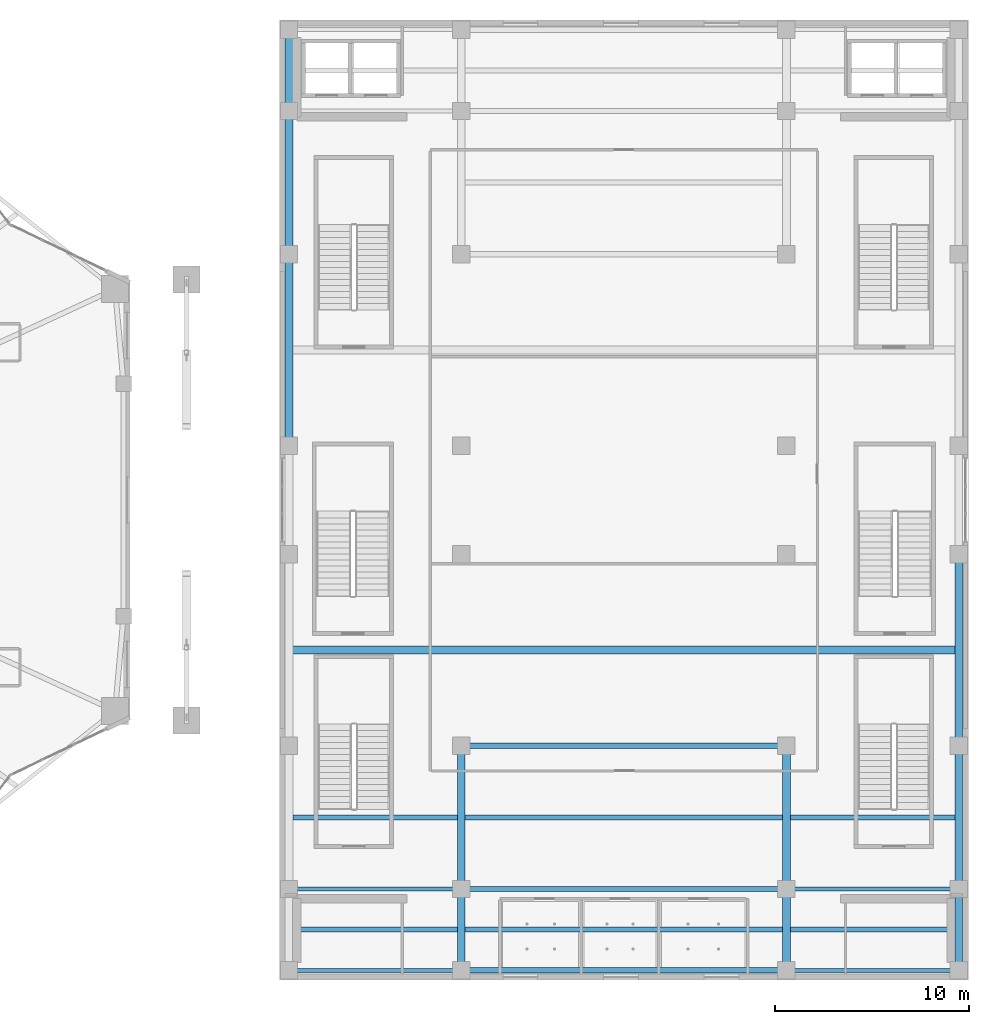
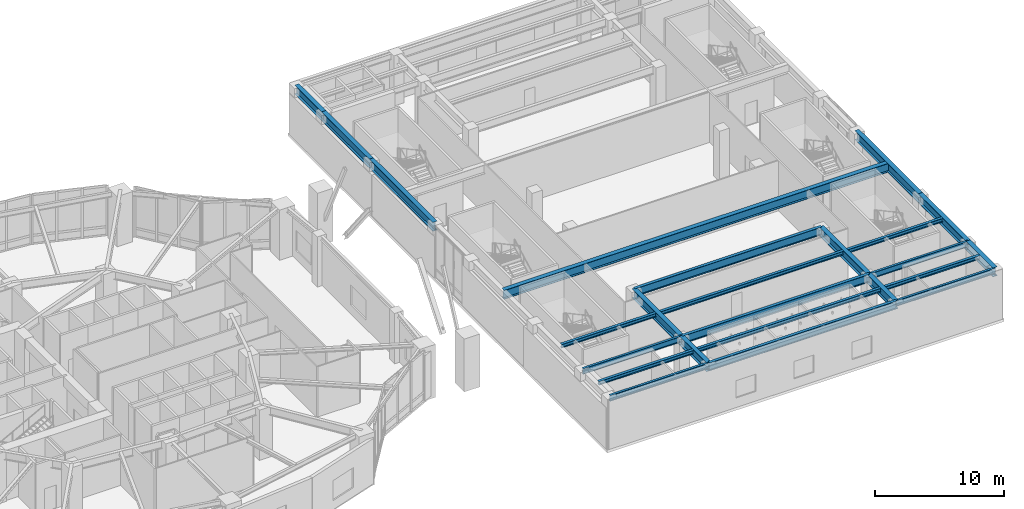
# One storey, part 8 of 24: 24 beams.
"""IFC4 building model written with IfcOpenShell, lengths in metres."""

from ifc_helpers import new_model, si_unit, direction, frame, origin, origin_2d, place, context, subcontext, project, spatial, i_section, extrude, material, material_profile, profile_set, type_object, element, save


model = new_model("IFC4")

# Units and contexts
model_context = context("Model", 3, precision=1e-05, world=origin(), true_north=direction((0.0, 1.0)))
body_context = subcontext(model_context, "Body", "Model", "MODEL_VIEW")
ifc_project = project(units=[si_unit("LENGTHUNIT", "METRE"), si_unit("AREAUNIT", "SQUARE_METRE"), si_unit("VOLUMEUNIT", "CUBIC_METRE"), si_unit("PLANEANGLEUNIT", "RADIAN"), si_unit("MASSUNIT", "GRAM", prefix="KILO")], contexts=[model_context])

# Site, building, storey
site_placement = place(None, origin())
site = spatial("IfcSite", under=ifc_project, at=site_placement, CompositionType="ELEMENT")
building_placement = place(site_placement, origin())
building = spatial("IfcBuilding", under=site, at=building_placement, Name="Kolvaren Gate Tower and Convention Centre", CompositionType="ELEMENT")
storey_placement = place(building_placement, frame((0.0, 0.0, 10.0)))
storey = spatial("IfcBuildingStorey", under=building, at=storey_placement, Name="L02", CompositionType="ELEMENT", Elevation=10.0)

# Beams
ifc_material = material(Name="Structural steel ASTM A992 Grade 345 MPa", Category="steel")
ifc_material_profile_1 = material_profile(ifc_material, i_section(OverallWidth=0.2119140625, OverallDepth=0.5439453125, WebThickness=0.01318359375, FlangeThickness=0.021240234375, at=origin_2d()), Name="W530X123")
ifc_profile_set_1 = profile_set([ifc_material_profile_1], Name="Structural steel ASTM A992 Grade 345 MPa")
beam_type_1 = type_object("IfcBeamType", Name="STR-BM-W530X123", PredefinedType="BEAM", material=ifc_profile_set_1)
for number, where, z_axis, x_axis, name in (
    (1, (62.699951171875, 2.699951171875, 4.488037109375), (1.0, 0.0, 0.0), (0.0, 1.0, 0.0), "Convention L02 Transverse Girder CTG-11"),
    (2, (88.39990234375, 2.699951171875, 4.488037109375), (1.0, 0.0, 0.0), (0.0, 1.0, 0.0), "Convention L02 Transverse Girder CTG-31"),
    (3, (62.699951171875, 6.89990234375, 4.488037109375), (1.0, 0.0, 0.0), (0.0, 1.0, 0.0), "Convention L02 Transverse Girder CTG-12"),
    (4, (88.39990234375, 6.89990234375, 4.488037109375), (1.0, 0.0, 0.0), (0.0, 1.0, 0.0), "Convention L02 Transverse Girder CTG-32"),
):
    element("IfcBeam", number, at=place(storey_placement, frame(where, z_axis=z_axis, x_axis=x_axis)), inside=storey, type_object=beam_type_1, Name=name, PredefinedType="BEAM", context=body_context, shape_type="SweptSolid", body=[
        extrude(i_section(OverallWidth=0.2119140625, OverallDepth=0.5439453125, WebThickness=0.01318359375, FlangeThickness=0.021240234375, at=origin_2d()), origin(), (0.0, 0.0, 1.0), 8.900146484375),
    ])
ifc_material_profile_2 = material_profile(ifc_material, i_section(OverallWidth=0.26806640625, OverallDepth=0.758056640625, WebThickness=0.016357421875, FlangeThickness=0.025390625, at=origin_2d()), Name="W760X220")
ifc_profile_set_2 = profile_set([ifc_material_profile_2], Name="Structural steel ASTM A992 Grade 345 MPa")
beam_type_2 = type_object("IfcBeamType", Name="STR-BM-W760X220", PredefinedType="BEAM", material=ifc_profile_set_2)
for number, where, z_axis, x_axis, name in (
    (5, (71.60009765625, 2.699951171875, 4.381103515625), (1.0, 0.0, 0.0), (0.0, 1.0, 0.0), "Convention L02 Transverse Girder CTG-21"),
    (6, (71.60009765625, 6.89990234375, 4.381103515625), (1.0, 0.0, 0.0), (0.0, 1.0, 0.0), "Convention L02 Transverse Girder CTG-22"),
    (7, (71.60009765625, 14.300048828125, 4.381103515625), (1.0, 0.0, 0.0), (0.0, 1.0, 0.0), "Convention L02 Transverse Girder CTG-23"),
):
    element("IfcBeam", number, at=place(storey_placement, frame(where, z_axis=z_axis, x_axis=x_axis)), inside=storey, type_object=beam_type_2, Name=name, PredefinedType="BEAM", context=body_context, shape_type="SweptSolid", body=[
        extrude(i_section(OverallWidth=0.26806640625, OverallDepth=0.758056640625, WebThickness=0.016357421875, FlangeThickness=0.025390625, at=origin_2d()), origin(), (0.0, 0.0, 1.0), 16.7998046875),
    ])
ifc_material_profile_3 = material_profile(ifc_material, i_section(OverallWidth=0.39990234375, OverallDepth=0.85498046875, WebThickness=0.018310546875, FlangeThickness=0.029296875, at=origin_2d()), Name="W840X299")
ifc_profile_set_3 = profile_set([ifc_material_profile_3], Name="Structural steel ASTM A992 Grade 345 MPa")
beam_type_3 = type_object("IfcBeamType", Name="STR-BM-W840X299", PredefinedType="BEAM", material=ifc_profile_set_3)
beam_1_placement = place(storey_placement, frame((62.699951171875, 29.800048828125, 4.33251953125), z_axis=(0.0, 1.0, 0.0), x_axis=(-1.0, 0.0, 0.0)))
element("IfcBeam", 8, at=beam_1_placement, inside=storey, type_object=beam_type_3, Name="Convention L02 Longitudinal Girder CG-15", PredefinedType="BEAM", context=body_context, shape_type="SweptSolid", body=[
    extrude(i_section(OverallWidth=0.39990234375, OverallDepth=0.85498046875, WebThickness=0.018310546875, FlangeThickness=0.029296875, at=origin_2d()), origin(), (0.0, 0.0, 1.0), 9.89990234375),
])
beam_2_placement = place(storey_placement, frame((62.699951171875, 39.699951171875, 4.33251953125), z_axis=(0.0, 1.0, 0.0), x_axis=(-1.0, 0.0, 0.0)))
element("IfcBeam", 9, at=beam_2_placement, inside=storey, type_object=beam_type_3, Name="Convention L02 Longitudinal Girder CG-16", PredefinedType="BEAM", context=body_context, shape_type="SweptSolid", body=[
    extrude(i_section(OverallWidth=0.39990234375, OverallDepth=0.85498046875, WebThickness=0.018310546875, FlangeThickness=0.029296875, at=origin_2d()), origin(), (0.0, 0.0, 1.0), 7.400146484375),
])
for number, where, z_axis, x_axis, name in (
    (10, (62.699951171875, 47.10009765625, 4.33251953125), (0.0, 1.0, 0.0), (-1.0, 0.0, 0.0), "Convention L02 Longitudinal Girder CG-17"),
    (11, (71.60009765625, 2.699951171875, 4.33251953125), (0.0, 1.0, 0.0), (-1.0, 0.0, 0.0), "Convention L02 Longitudinal Girder CG-21"),
):
    element("IfcBeam", number, at=place(storey_placement, frame(where, z_axis=z_axis, x_axis=x_axis)), inside=storey, type_object=beam_type_3, Name=name, PredefinedType="BEAM", context=body_context, shape_type="SweptSolid", body=[
        extrude(i_section(OverallWidth=0.39990234375, OverallDepth=0.85498046875, WebThickness=0.018310546875, FlangeThickness=0.029296875, at=origin_2d()), origin(), (0.0, 0.0, 1.0), 4.199951171875),
    ])
beam_3_placement = place(storey_placement, frame((71.60009765625, 6.89990234375, 4.33251953125), z_axis=(0.0, 1.0, 0.0), x_axis=(-1.0, 0.0, 0.0)))
element("IfcBeam", 12, at=beam_3_placement, inside=storey, type_object=beam_type_3, Name="Convention L02 Longitudinal Girder CG-22", PredefinedType="BEAM", context=body_context, shape_type="SweptSolid", body=[
    extrude(i_section(OverallWidth=0.39990234375, OverallDepth=0.85498046875, WebThickness=0.018310546875, FlangeThickness=0.029296875, at=origin_2d()), origin(), (0.0, 0.0, 1.0), 7.400146484375),
])
beam_4_placement = place(storey_placement, frame((88.39990234375, 2.699951171875, 4.33251953125), z_axis=(0.0, 1.0, 0.0), x_axis=(-1.0, 0.0, 0.0)))
element("IfcBeam", 13, at=beam_4_placement, inside=storey, type_object=beam_type_3, Name="Convention L02 Longitudinal Girder CG-31", PredefinedType="BEAM", context=body_context, shape_type="SweptSolid", body=[
    extrude(i_section(OverallWidth=0.39990234375, OverallDepth=0.85498046875, WebThickness=0.018310546875, FlangeThickness=0.029296875, at=origin_2d()), origin(), (0.0, 0.0, 1.0), 4.199951171875),
])
beam_5_placement = place(storey_placement, frame((88.39990234375, 6.89990234375, 4.33251953125), z_axis=(0.0, 1.0, 0.0), x_axis=(-1.0, 0.0, 0.0)))
element("IfcBeam", 14, at=beam_5_placement, inside=storey, type_object=beam_type_3, Name="Convention L02 Longitudinal Girder CG-32", PredefinedType="BEAM", context=body_context, shape_type="SweptSolid", body=[
    extrude(i_section(OverallWidth=0.39990234375, OverallDepth=0.85498046875, WebThickness=0.018310546875, FlangeThickness=0.029296875, at=origin_2d()), origin(), (0.0, 0.0, 1.0), 7.400146484375),
])
beam_6_placement = place(storey_placement, frame((97.300048828125, 2.699951171875, 4.33251953125), z_axis=(0.0, 1.0, 0.0), x_axis=(-1.0, 0.0, 0.0)))
element("IfcBeam", 15, at=beam_6_placement, inside=storey, type_object=beam_type_3, Name="Convention L02 Longitudinal Girder CG-41", PredefinedType="BEAM", context=body_context, shape_type="SweptSolid", body=[
    extrude(i_section(OverallWidth=0.39990234375, OverallDepth=0.85498046875, WebThickness=0.018310546875, FlangeThickness=0.029296875, at=origin_2d()), origin(), (0.0, 0.0, 1.0), 4.199951171875),
])
beam_7_placement = place(storey_placement, frame((97.300048828125, 6.89990234375, 4.33251953125), z_axis=(0.0, 1.0, 0.0), x_axis=(-1.0, 0.0, 0.0)))
element("IfcBeam", 16, at=beam_7_placement, inside=storey, type_object=beam_type_3, Name="Convention L02 Longitudinal Girder CG-42", PredefinedType="BEAM", context=body_context, shape_type="SweptSolid", body=[
    extrude(i_section(OverallWidth=0.39990234375, OverallDepth=0.85498046875, WebThickness=0.018310546875, FlangeThickness=0.029296875, at=origin_2d()), origin(), (0.0, 0.0, 1.0), 7.400146484375),
])
beam_8_placement = place(storey_placement, frame((97.300048828125, 14.300048828125, 4.33251953125), z_axis=(0.0, 1.0, 0.0), x_axis=(-1.0, 0.0, 0.0)))
element("IfcBeam", 17, at=beam_8_placement, inside=storey, type_object=beam_type_3, Name="Convention L02 Longitudinal Girder CG-43", PredefinedType="BEAM", context=body_context, shape_type="SweptSolid", body=[
    extrude(i_section(OverallWidth=0.39990234375, OverallDepth=0.85498046875, WebThickness=0.018310546875, FlangeThickness=0.029296875, at=origin_2d()), origin(), (0.0, 0.0, 1.0), 9.89990234375),
])
beam_9_placement = place(storey_placement, frame((62.699951171875, 19.25, 4.33251953125), z_axis=(1.0, 0.0, 0.0), x_axis=(0.0, 1.0, 0.0)))
element("IfcBeam", 18, at=beam_9_placement, inside=storey, type_object=beam_type_3, Name="Convention L02 Clear-Span Secondary Girder CSG-3", PredefinedType="BEAM", context=body_context, shape_type="SweptSolid", body=[
    extrude(i_section(OverallWidth=0.39990234375, OverallDepth=0.85498046875, WebThickness=0.018310546875, FlangeThickness=0.029296875, at=origin_2d()), origin(), (0.0, 0.0, 1.0), 34.60009765625),
])
ifc_material_profile_4 = material_profile(ifc_material, i_section(OverallWidth=0.2548828125, OverallDepth=0.35693359375, WebThickness=0.010498046875, FlangeThickness=0.018310546875, at=origin_2d()), Name="W360X101")
ifc_profile_set_4 = profile_set([ifc_material_profile_4], Name="Structural steel ASTM A992 Grade 345 MPa")
beam_type_4 = type_object("IfcBeamType", Name="STR-JS-W360X101", PredefinedType="JOIST", material=ifc_profile_set_4)
beam_10_placement = place(storey_placement, frame((62.89990234375, 4.800048828125, 4.58154296875), z_axis=(1.0, 0.0, 0.0), x_axis=(0.0, 1.0, 0.0)))
element("IfcBeam", 19, at=beam_10_placement, inside=storey, type_object=beam_type_4, Name="Convention L02 Composite Floor Joist CJ-11", PredefinedType="JOIST", context=body_context, shape_type="SweptSolid", body=[
    extrude(i_section(OverallWidth=0.2548828125, OverallDepth=0.35693359375, WebThickness=0.010498046875, FlangeThickness=0.018310546875, at=origin_2d()), origin(), (0.0, 0.0, 1.0), 8.5),
])
beam_11_placement = place(storey_placement, frame((71.800048828125, 4.800048828125, 4.58154296875), z_axis=(1.0, 0.0, 0.0), x_axis=(0.0, 1.0, 0.0)))
element("IfcBeam", 20, at=beam_11_placement, inside=storey, type_object=beam_type_4, Name="Convention L02 Composite Floor Joist CJ-21", PredefinedType="JOIST", context=body_context, shape_type="SweptSolid", body=[
    extrude(i_section(OverallWidth=0.2548828125, OverallDepth=0.35693359375, WebThickness=0.010498046875, FlangeThickness=0.018310546875, at=origin_2d()), origin(), (0.0, 0.0, 1.0), 16.39990234375),
])
for number, where, z_axis, x_axis, name in (
    (21, (88.60009765625, 4.800048828125, 4.58154296875), (1.0, 0.0, 0.0), (0.0, 1.0, 0.0), "Convention L02 Composite Floor Joist CJ-31"),
    (22, (62.89990234375, 10.60009765625, 4.58154296875), (1.0, 0.0, 0.0), (0.0, 1.0, 0.0), "Convention L02 Composite Floor Joist CJ-12"),
):
    element("IfcBeam", number, at=place(storey_placement, frame(where, z_axis=z_axis, x_axis=x_axis)), inside=storey, type_object=beam_type_4, Name=name, PredefinedType="JOIST", context=body_context, shape_type="SweptSolid", body=[
        extrude(i_section(OverallWidth=0.2548828125, OverallDepth=0.35693359375, WebThickness=0.010498046875, FlangeThickness=0.018310546875, at=origin_2d()), origin(), (0.0, 0.0, 1.0), 8.5),
    ])
beam_12_placement = place(storey_placement, frame((71.800048828125, 10.60009765625, 4.58154296875), z_axis=(1.0, 0.0, 0.0), x_axis=(0.0, 1.0, 0.0)))
element("IfcBeam", 23, at=beam_12_placement, inside=storey, type_object=beam_type_4, Name="Convention L02 Composite Floor Joist CJ-22", PredefinedType="JOIST", context=body_context, shape_type="SweptSolid", body=[
    extrude(i_section(OverallWidth=0.2548828125, OverallDepth=0.35693359375, WebThickness=0.010498046875, FlangeThickness=0.018310546875, at=origin_2d()), origin(), (0.0, 0.0, 1.0), 16.39990234375),
])
beam_13_placement = place(storey_placement, frame((88.60009765625, 10.60009765625, 4.58154296875), z_axis=(1.0, 0.0, 0.0), x_axis=(0.0, 1.0, 0.0)))
element("IfcBeam", 24, at=beam_13_placement, inside=storey, type_object=beam_type_4, Name="Convention L02 Composite Floor Joist CJ-32", PredefinedType="JOIST", context=body_context, shape_type="SweptSolid", body=[
    extrude(i_section(OverallWidth=0.2548828125, OverallDepth=0.35693359375, WebThickness=0.010498046875, FlangeThickness=0.018310546875, at=origin_2d()), origin(), (0.0, 0.0, 1.0), 8.5),
])

save(model, "model.ifc")
